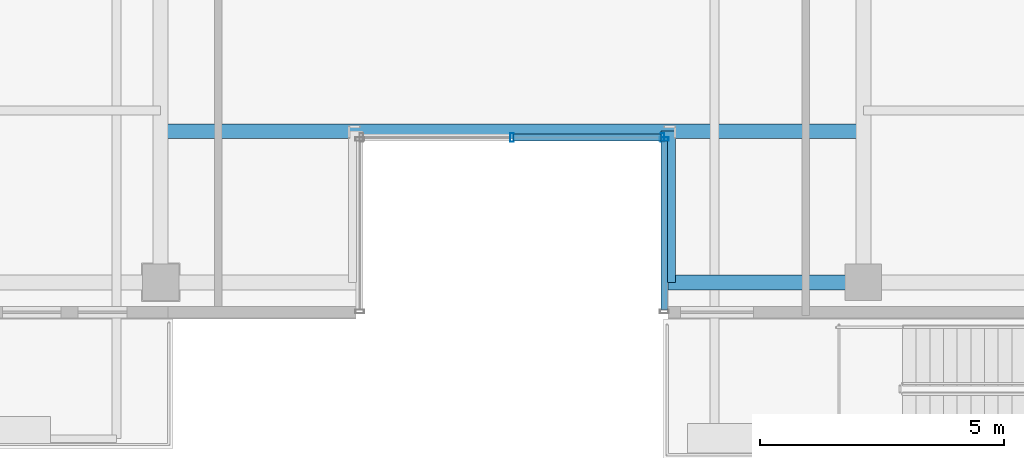
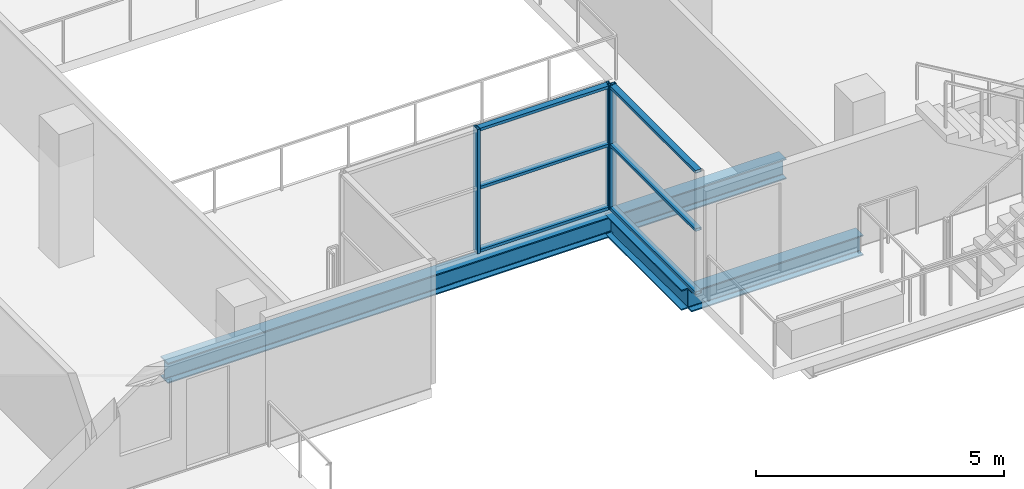
# One storey, part 3 of 23: 9 members, 3 beams, 2 elements without a shape of their own.
"""IFC4 building model written with IfcOpenShell, lengths in metres."""

from ifc_helpers import new_model, si_unit, direction, frame, origin, origin_2d, place, context, subcontext, project, spatial, hollow_rectangle, i_section, extrude, source, transform, mapped, material, layer, layer_set, material_profile, profile_set, type_object, element, aggregate, save


model = new_model("IFC4")

# Units and contexts
model_context = context("Model", 3, precision=1e-05, world=origin(), true_north=direction((0.0, 1.0)))
body_context = subcontext(model_context, "Body", "Model", "MODEL_VIEW")
ifc_project = project(units=[si_unit("LENGTHUNIT", "METRE"), si_unit("AREAUNIT", "SQUARE_METRE"), si_unit("VOLUMEUNIT", "CUBIC_METRE"), si_unit("PLANEANGLEUNIT", "RADIAN"), si_unit("MASSUNIT", "GRAM", prefix="KILO")], contexts=[model_context])

# Site, building, storey
site_placement = place(None, origin())
site = spatial("IfcSite", under=ifc_project, at=site_placement, CompositionType="ELEMENT")
building_placement = place(site_placement, origin())
building = spatial("IfcBuilding", under=site, at=building_placement, Name="Zarnakvel Exchange Tower", CompositionType="ELEMENT")
storey_placement = place(building_placement, frame((0.0, 0.0, 172.60009765625)))
storey = spatial("IfcBuildingStorey", under=building, at=storey_placement, Name="L48", CompositionType="ELEMENT", Elevation=172.60009765625)

# Beams
ifc_material_1 = material(Name="Steel S355", Category="steel")
ifc_material_profile_1 = material_profile(ifc_material_1, i_section(OverallWidth=0.300048828125, OverallDepth=0.5, WebThickness=0.014404296875, FlangeThickness=0.028076171875, FilletRadius=0.027099609375, at=origin_2d()))
ifc_profile_set_1 = profile_set([ifc_material_profile_1], Name="Steel S355")
beam_type_1 = type_object("IfcBeamType", Name="G-06", PredefinedType="BEAM", material=ifc_profile_set_1)
beam_1_placement = place(storey_placement, frame((3.199951171875, -16.64990234375, -0.47509765625), z_axis=(0.0, 1.0, 0.0), x_axis=(-1.0, 0.0, 0.0)))
element("IfcBeam", 1, at=beam_1_placement, inside=storey, type_object=beam_type_1, Name="L48 South Slot East Cheek Beam", PredefinedType="BEAM", context=body_context, shape_type="SweptSolid", body=[
    extrude(i_section(OverallWidth=0.300048828125, OverallDepth=0.5, WebThickness=0.014404296875, FlangeThickness=0.028076171875, FilletRadius=0.027099609375, at=origin_2d()), origin(), (0.0, 0.0, 1.0), 3.099853515625),
])
ifc_material_profile_2 = material_profile(ifc_material_1, i_section(OverallWidth=0.300048828125, OverallDepth=0.5, WebThickness=0.014404296875, FlangeThickness=0.028076171875, FilletRadius=0.027099609375, at=origin_2d()))
ifc_profile_set_2 = profile_set([ifc_material_profile_2], Name="Steel S355")
beam_type_2 = type_object("IfcBeamType", Name="SP-02", PredefinedType="SPANDREL", material=ifc_profile_set_2)
beam_2_placement = place(storey_placement, frame((3.199951171875, -16.64990234375, -0.47509765625), z_axis=(1.0, 0.0, 0.0), x_axis=(0.0, 1.0, 0.0)))
element("IfcBeam", 2, at=beam_2_placement, inside=storey, type_object=beam_type_2, Name="L48 South Slot East Jamb Spandrel", PredefinedType="SPANDREL", context=body_context, shape_type="SweptSolid", body=[
    extrude(i_section(OverallWidth=0.300048828125, OverallDepth=0.5, WebThickness=0.014404296875, FlangeThickness=0.028076171875, FilletRadius=0.027099609375, at=origin_2d()), origin(), (0.0, 0.0, 1.0), 4.0),
])
beam_3_placement = place(storey_placement, frame((-7.199951171875, -13.550048828125, -0.47509765625), z_axis=(1.0, 0.0, 0.0), x_axis=(0.0, 1.0, 0.0)))
element("IfcBeam", 3, at=beam_3_placement, inside=storey, type_object=beam_type_2, Name="L48 South Slot Head Trimmer Girder", PredefinedType="SPANDREL", context=body_context, shape_type="SweptSolid", body=[
    extrude(i_section(OverallWidth=0.300048828125, OverallDepth=0.5, WebThickness=0.014404296875, FlangeThickness=0.028076171875, FilletRadius=0.027099609375, at=origin_2d()), origin(), (0.0, 0.0, 1.0), 14.39990234375),
])

# Curtain wall, members
ifc_material_2 = material(Name="Architectural Bronze Anodised Aluminium", Category="aluminium")
ifc_layer = layer(ifc_material_2, 0.179931640625)
ifc_layer_set = layer_set([ifc_layer], Name="Architectural Bronze Anodised Aluminium")
curtain_wall_type = type_object("IfcCurtainWallType", Name="CW-05", PredefinedType="NOTDEFINED", material=ifc_layer_set)
curtain_wall_1_placement = place(storey_placement, origin())
curtain_wall_1 = element("IfcCurtainWall", 4, at=curtain_wall_1_placement, inside=storey, type_object=curtain_wall_type, Name="L48 Curtain Wall CW-L48-SLE (CW-05)", PredefinedType="NOTDEFINED")
ifc_material_profile_3 = material_profile(ifc_material_2, hollow_rectangle(XDim=0.139892578125, YDim=0.070068359375, WallThickness=0.00390625, at=origin_2d()))
ifc_profile_set_3 = profile_set([ifc_material_profile_3], Name="Architectural Bronze Anodised Aluminium")
member_type_1 = type_object("IfcMemberType", Name="CWT-05", PredefinedType="USERDEFINED", material=ifc_profile_set_3)
shared_shape_1 = source(origin(), body_context, "Body", "SweptSolid", [
    extrude(hollow_rectangle(XDim=0.139892578125, YDim=0.070068359375, WallThickness=0.00390625, at=origin_2d()), origin(), (0.0, 0.0, 1.0), 3.4599609375),
])
member_1_placement = place(storey_placement, frame((3.1201171875, -13.75, 0.034912109375), z_axis=(0.0, -1.0, 0.0), x_axis=(1.0, 0.0, 0.0)))
member_1 = element("IfcMember", 5, at=member_1_placement, type_object=member_type_1, Name="CW-05 transom 1.1", ObjectType="TRANSOM", PredefinedType="USERDEFINED", context=body_context, shape_type="MappedRepresentation", body=[
    mapped(shared_shape_1, transform((0.0, 0.0, 0.0), x_axis=(1.0, 0.0, 0.0), y_axis=(0.0, 1.0, 0.0), z_axis=(0.0, 0.0, 1.0), scale=1.0)),
])
member_2_placement = place(storey_placement, frame((3.1201171875, -13.75, 1.588623046875), z_axis=(0.0, -1.0, 0.0), x_axis=(1.0, 0.0, 0.0)))
member_2 = element("IfcMember", 6, at=member_2_placement, type_object=member_type_1, Name="CW-05 transom 1.2", ObjectType="TRANSOM", PredefinedType="USERDEFINED", context=body_context, shape_type="MappedRepresentation", body=[
    mapped(shared_shape_1, transform((0.0, 0.0, 0.0), x_axis=(1.0, 0.0, 0.0), y_axis=(0.0, 1.0, 0.0), z_axis=(0.0, 0.0, 1.0), scale=1.0)),
])
member_3_placement = place(storey_placement, frame((3.1201171875, -13.75, 3.02001953125), z_axis=(0.0, -1.0, 0.0), x_axis=(1.0, 0.0, 0.0)))
member_3 = element("IfcMember", 7, at=member_3_placement, type_object=member_type_1, Name="CW-05 transom 1.3", ObjectType="TRANSOM", PredefinedType="USERDEFINED", context=body_context, shape_type="MappedRepresentation", body=[
    mapped(shared_shape_1, transform((0.0, 0.0, 0.0), x_axis=(1.0, 0.0, 0.0), y_axis=(0.0, 1.0, 0.0), z_axis=(0.0, 0.0, 1.0), scale=1.0)),
])

curtain_wall_2_placement = place(storey_placement, origin())
curtain_wall_2 = element("IfcCurtainWall", 8, at=curtain_wall_2_placement, inside=storey, type_object=curtain_wall_type, Name="L48 Curtain Wall CW-L48-SLB (CW-05)", PredefinedType="NOTDEFINED")
shared_shape_2 = source(origin(), body_context, "Body", "SweptSolid", [
    extrude(hollow_rectangle(XDim=0.139892578125, YDim=0.070068359375, WallThickness=0.00390625, at=origin_2d()), origin(), (0.0, 0.0, 1.0), 3.01513671875),
])
member_4_placement = place(storey_placement, frame((0.034912109375, -13.679931640625, 0.034912109375), z_axis=(1.0, 0.0, 0.0), x_axis=(0.0, 1.0, 0.0)))
member_4 = element("IfcMember", 9, at=member_4_placement, type_object=member_type_1, Name="CW-05 transom 2.1", ObjectType="TRANSOM", PredefinedType="USERDEFINED", context=body_context, shape_type="MappedRepresentation", body=[
    mapped(shared_shape_2, transform((0.0, 0.0, 0.0), x_axis=(1.0, 0.0, 0.0), y_axis=(0.0, 1.0, 0.0), z_axis=(0.0, 0.0, 1.0), scale=1.0)),
])
member_5_placement = place(storey_placement, frame((0.034912109375, -13.679931640625, 1.588623046875), z_axis=(1.0, 0.0, 0.0), x_axis=(0.0, 1.0, 0.0)))
member_5 = element("IfcMember", 10, at=member_5_placement, type_object=member_type_1, Name="CW-05 transom 2.2", ObjectType="TRANSOM", PredefinedType="USERDEFINED", context=body_context, shape_type="MappedRepresentation", body=[
    mapped(shared_shape_2, transform((0.0, 0.0, 0.0), x_axis=(1.0, 0.0, 0.0), y_axis=(0.0, 1.0, 0.0), z_axis=(0.0, 0.0, 1.0), scale=1.0)),
])
member_6_placement = place(storey_placement, frame((0.034912109375, -13.679931640625, 3.02001953125), z_axis=(1.0, 0.0, 0.0), x_axis=(0.0, 1.0, 0.0)))
member_6 = element("IfcMember", 11, at=member_6_placement, type_object=member_type_1, Name="CW-05 transom 2.3", ObjectType="TRANSOM", PredefinedType="USERDEFINED", context=body_context, shape_type="MappedRepresentation", body=[
    mapped(shared_shape_2, transform((0.0, 0.0, 0.0), x_axis=(1.0, 0.0, 0.0), y_axis=(0.0, 1.0, 0.0), z_axis=(0.0, 0.0, 1.0), scale=1.0)),
])
ifc_material_profile_4 = material_profile(ifc_material_2, hollow_rectangle(XDim=0.179931640625, YDim=0.070068359375, WallThickness=0.00390625, at=origin_2d()))
ifc_profile_set_4 = profile_set([ifc_material_profile_4], Name="Architectural Bronze Anodised Aluminium")
member_type_2 = type_object("IfcMemberType", Name="CWM-05", PredefinedType="MULLION", material=ifc_profile_set_4)
shared_shape_3 = source(origin(), body_context, "Body", "SweptSolid", [
    extrude(hollow_rectangle(XDim=0.179931640625, YDim=0.070068359375, WallThickness=0.00390625, at=origin_2d()), origin(), (0.0, 0.0, 1.0), 3.054931640625),
])
member_7_placement = place(storey_placement, frame((0.0, -13.679931640625, 0.0), z_axis=(0.0, 0.0, 1.0), x_axis=(0.0, 1.0, 0.0)))
member_7 = element("IfcMember", 12, at=member_7_placement, type_object=member_type_2, Name="CW-05 mullion 2", PredefinedType="MULLION", context=body_context, shape_type="MappedRepresentation", body=[
    mapped(shared_shape_3, transform((0.0, 0.0, 0.0), x_axis=(1.0, 0.0, 0.0), y_axis=(0.0, 1.0, 0.0), z_axis=(0.0, 0.0, 1.0), scale=1.0)),
])
member_8_placement = place(storey_placement, frame((3.0849609375, -13.679931640625, 0.0), z_axis=(0.0, 0.0, 1.0), x_axis=(0.0, 1.0, 0.0)))
member_8 = element("IfcMember", 13, at=member_8_placement, type_object=member_type_2, Name="CW-05 mullion 3", PredefinedType="MULLION", context=body_context, shape_type="MappedRepresentation", body=[
    mapped(shared_shape_3, transform((0.0, 0.0, 0.0), x_axis=(1.0, 0.0, 0.0), y_axis=(0.0, 1.0, 0.0), z_axis=(0.0, 0.0, 1.0), scale=1.0)),
])
aggregate(curtain_wall_2, [member_7, member_8, member_4, member_5, member_6])

# Member
member_9_placement = place(storey_placement, frame((3.1201171875, -13.715087890625, 0.0), z_axis=(0.0, 0.0, 1.0), x_axis=(1.0, 0.0, 0.0)))
member_9 = element("IfcMember", 14, at=member_9_placement, type_object=member_type_2, Name="CW-05 mullion 1", PredefinedType="MULLION", context=body_context, shape_type="MappedRepresentation", body=[
    mapped(shared_shape_3, transform((0.0, 0.0, 0.0), x_axis=(1.0, 0.0, 0.0), y_axis=(0.0, 1.0, 0.0), z_axis=(0.0, 0.0, 1.0), scale=1.0)),
])

aggregate(curtain_wall_1, [member_9, member_1, member_2, member_3])

save(model, "model.ifc")
